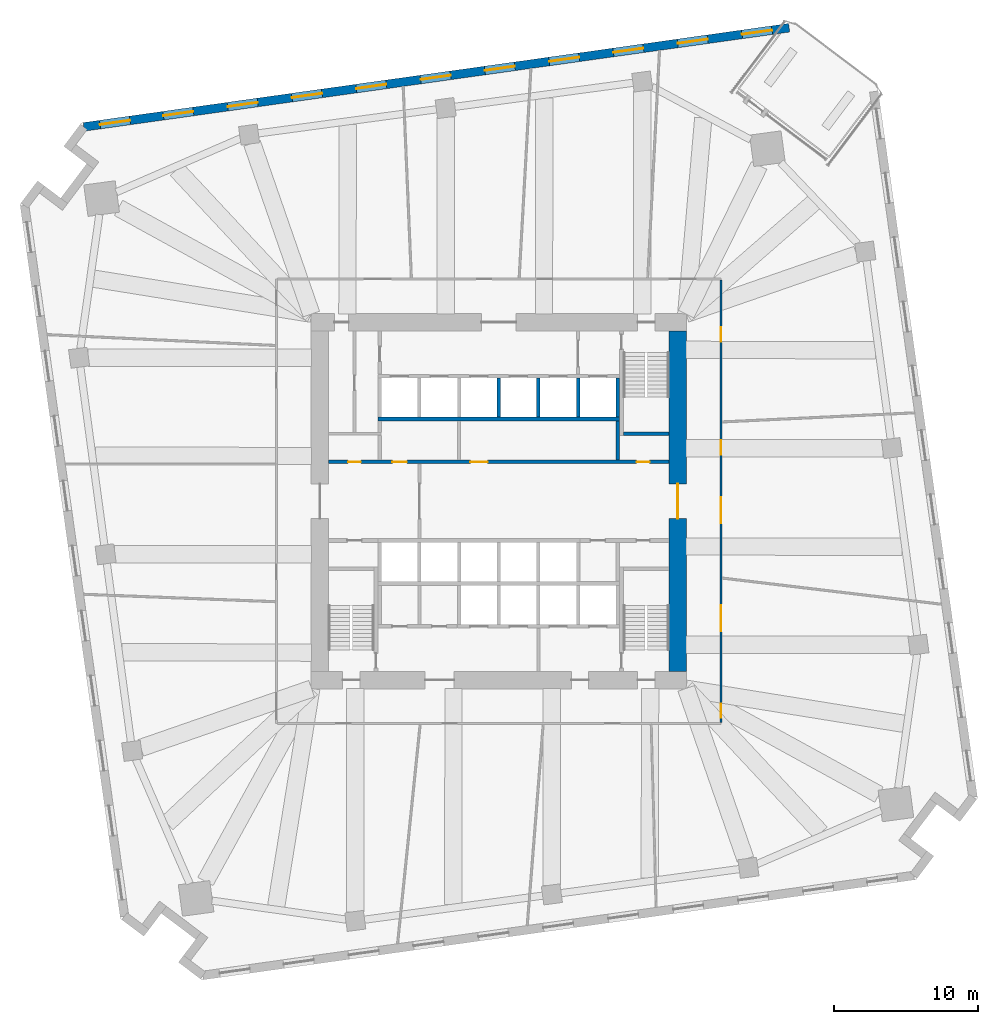
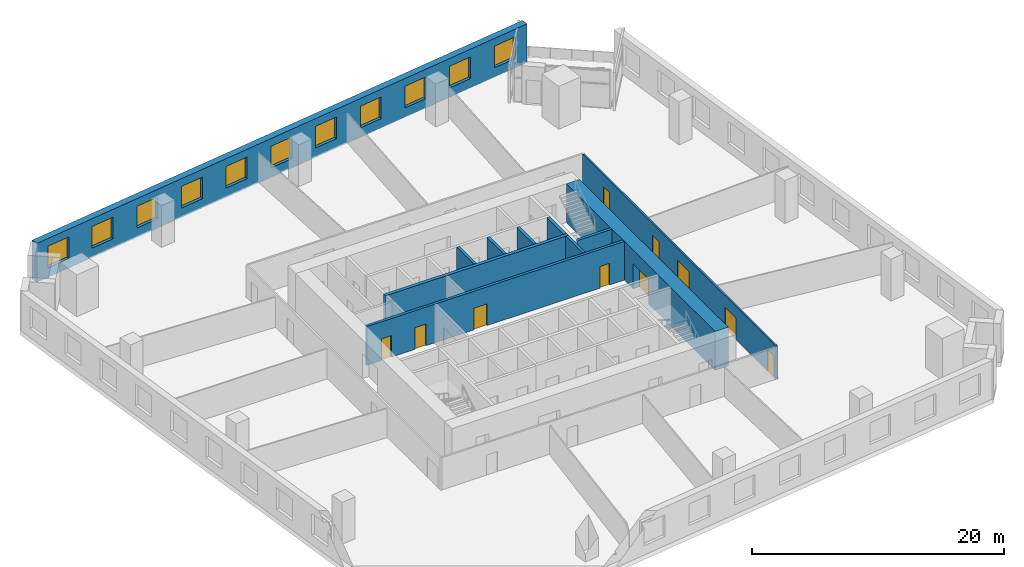
# One storey, part 8 of 12: 11 walls, 11 windows, 10 doors, 21 openings.
"""IFC4 building model written with IfcOpenShell, lengths in metres."""

from ifc_helpers import new_model, si_unit, direction, frame, frame_2d, origin, place, context, subcontext, project, spatial, rectangle, extrude, material, layer, layer_set, type_object, element, fill, save


model = new_model("IFC4")

# Units and contexts
model_context = context("Model", 3, precision=1e-05, world=origin(), true_north=direction((0.0, 1.0)))
body_context = subcontext(model_context, "Body", "Model", "MODEL_VIEW")
ifc_project = project(units=[si_unit("LENGTHUNIT", "METRE"), si_unit("AREAUNIT", "SQUARE_METRE"), si_unit("VOLUMEUNIT", "CUBIC_METRE"), si_unit("PLANEANGLEUNIT", "RADIAN"), si_unit("MASSUNIT", "GRAM", prefix="KILO")], contexts=[model_context])

# Site, building, storey
site_placement = place(None, origin())
site = spatial("IfcSite", under=ifc_project, at=site_placement, CompositionType="ELEMENT")
building_placement = place(site_placement, origin())
building = spatial("IfcBuilding", under=site, at=building_placement, Name="Dilmun Exchange Tower", CompositionType="ELEMENT")
storey_placement = place(building_placement, frame((0.0, 0.0, 55.5)))
storey = spatial("IfcBuildingStorey", under=building, at=storey_placement, Name="L12", CompositionType="ELEMENT", Elevation=55.5)

# Wall, openings, doors
ifc_material_1 = material(Name="Concrete C40/50", Category="concrete")
ifc_layer_1 = layer(ifc_material_1, 0.25)
ifc_layer_set_1 = layer_set([ifc_layer_1], Name="Concrete C40/50")
wall_type_1 = type_object("IfcWallType", Name="Core partition wall 250", PredefinedType="PARTITIONING", material=ifc_layer_set_1)
wall_1_placement = place(storey_placement, frame((-11.794921875, 2.72509765625, 0.0), z_axis=(0.0, 0.0, 1.0), x_axis=(1.0, 0.0, 0.0)))
wall_1 = element("IfcWall", 1, at=wall_1_placement, inside=storey, type_object=wall_type_1, Name="L12 core partition wall 09", PredefinedType="PARTITIONING", context=body_context, shape_type="SweptSolid", body=[
    extrude(rectangle(XDim=23.58984375, YDim=0.25, at=frame_2d((11.794921875, 0.0))), origin(), (0.0, 0.0, 1.0), 3.75),
])
opening_1_placement = place(wall_1_placement, frame((21.344970703125, 0.0, 0.0)))
opening_1 = element("IfcOpeningElement", 2, at=opening_1_placement, cuts=wall_1, Name="Opening CD6", PredefinedType="OPENING", context=body_context, shape_type="SweptSolid", body=[
    extrude(rectangle(XDim=0.89990234375, YDim=2.10009765625, at=frame_2d((0.449951171875, 1.050048828125))), frame((0.0, 0.135009765625, 0.0), z_axis=(0.0, -1.0, 0.0), x_axis=(1.0, 0.0, 0.0)), (0.0, 0.0, 1.0), 0.27001953125),
])
opening_2_placement = place(wall_1_placement, frame((1.344970703125, 0.0, 0.0)))
opening_2 = element("IfcOpeningElement", 3, at=opening_2_placement, cuts=wall_1, Name="Opening CD6", PredefinedType="OPENING", context=body_context, shape_type="SweptSolid", body=[
    extrude(rectangle(XDim=0.89990234375, YDim=2.10009765625, at=frame_2d((0.449951171875, 1.050048828125))), frame((0.0, 0.135009765625, 0.0), z_axis=(0.0, -1.0, 0.0), x_axis=(1.0, 0.0, 0.0)), (0.0, 0.0, 1.0), 0.27001953125),
])
opening_3_placement = place(wall_1_placement, frame((4.419921875, 0.0, 0.0)))
opening_3 = element("IfcOpeningElement", 4, at=opening_3_placement, cuts=wall_1, Name="Opening CD4", PredefinedType="OPENING", context=body_context, shape_type="SweptSolid", body=[
    extrude(rectangle(XDim=1.0, YDim=2.10009765625, at=frame_2d((0.5, 1.050048828125))), frame((0.0, 0.135009765625, 0.0), z_axis=(0.0, -1.0, 0.0), x_axis=(1.0, 0.0, 0.0)), (0.0, 0.0, 1.0), 0.27001953125),
])
opening_4_placement = place(wall_1_placement, frame((9.820068359375, 0.0, 0.0)))
opening_4 = element("IfcOpeningElement", 5, at=opening_4_placement, cuts=wall_1, Name="Opening CD3", PredefinedType="OPENING", context=body_context, shape_type="SweptSolid", body=[
    extrude(rectangle(XDim=1.199951171875, YDim=2.10009765625, at=frame_2d((0.60009765625, 1.050048828125))), frame((0.0, 0.135009765625, 0.0), z_axis=(0.0, -1.0, 0.0), x_axis=(1.0, 0.0, 0.0)), (0.0, 0.0, 1.0), 0.27001953125),
])
ifc_material_2 = material(Name="Fire-rated steel door set", Category="steel")
door_type_1 = type_object("IfcDoorType", Name="Core room door 1000x2100", OperationType="SINGLE_SWING_LEFT", PredefinedType="DOOR", material=ifc_material_2)
door_1_placement = place(opening_3_placement, origin())
door_1 = element("IfcDoor", 6, at=door_1_placement, inside=storey, type_object=door_type_1, Name="L12 door Print and mail room", OperationType="SINGLE_SWING_LEFT", OverallHeight=2.10009765625, OverallWidth=1.0, PredefinedType="DOOR", context=body_context, shape_type="SweptSolid", body=[
    extrude(rectangle(XDim=1.0, YDim=2.10009765625, at=frame_2d((0.5, 1.050048828125))), frame((0.0, 0.02490234375, 0.0), z_axis=(0.0, -1.0, 0.0), x_axis=(1.0, 0.0, 0.0)), (0.0, 0.0, 1.0), 0.050048828125),
])
fill(opening_3, door_1)
door_type_2 = type_object("IfcDoorType", Name="Core room door 900x2100", OperationType="SINGLE_SWING_LEFT", PredefinedType="DOOR", material=ifc_material_2)
door_2_placement = place(opening_1_placement, origin())
door_2 = element("IfcDoor", 7, at=door_2_placement, inside=storey, type_object=door_type_2, Name="L12 door Electrical riser", OperationType="SINGLE_SWING_LEFT", OverallHeight=2.10009765625, OverallWidth=0.89990234375, PredefinedType="DOOR", context=body_context, shape_type="SweptSolid", body=[
    extrude(rectangle(XDim=0.89990234375, YDim=2.10009765625, at=frame_2d((0.449951171875, 1.050048828125))), frame((0.0, 0.02490234375, 0.0), z_axis=(0.0, -1.0, 0.0), x_axis=(1.0, 0.0, 0.0)), (0.0, 0.0, 1.0), 0.050048828125),
])
fill(opening_1, door_2)
door_3_placement = place(opening_2_placement, origin())
door_3 = element("IfcDoor", 8, at=door_3_placement, inside=storey, type_object=door_type_2, Name="L12 door Plumbing riser", OperationType="SINGLE_SWING_LEFT", OverallHeight=2.10009765625, OverallWidth=0.89990234375, PredefinedType="DOOR", context=body_context, shape_type="SweptSolid", body=[
    extrude(rectangle(XDim=0.89990234375, YDim=2.10009765625, at=frame_2d((0.449951171875, 1.050048828125))), frame((0.0, 0.02490234375, 0.0), z_axis=(0.0, -1.0, 0.0), x_axis=(1.0, 0.0, 0.0)), (0.0, 0.0, 1.0), 0.050048828125),
])
fill(opening_2, door_3)
door_type_3 = type_object("IfcDoorType", Name="Stair exit door 1200x2100", OperationType="SINGLE_SWING_LEFT", PredefinedType="DOOR", material=ifc_material_2)
door_4_placement = place(opening_4_placement, origin())
door_4 = element("IfcDoor", 9, at=door_4_placement, inside=storey, type_object=door_type_3, Name="L12 door Building management office", OperationType="SINGLE_SWING_LEFT", OverallHeight=2.10009765625, OverallWidth=1.199951171875, PredefinedType="DOOR", context=body_context, shape_type="SweptSolid", body=[
    extrude(rectangle(XDim=1.199951171875, YDim=2.10009765625, at=frame_2d((0.60009765625, 1.050048828125))), frame((0.0, 0.02490234375, 0.0), z_axis=(0.0, -1.0, 0.0), x_axis=(1.0, 0.0, 0.0)), (0.0, 0.0, 1.0), 0.050048828125),
])
fill(opening_4, door_4)

# Wall
wall_2_placement = place(storey_placement, frame((8.25, 2.85498046875, 0.0), z_axis=(0.0, 0.0, 1.0), x_axis=(0.0, 1.0, 0.0)))
element("IfcWall", 10, at=wall_2_placement, inside=storey, type_object=wall_type_1, Name="L12 core partition wall 12", PredefinedType="PARTITIONING", context=body_context, shape_type="SweptSolid", body=[
    extrude(rectangle(XDim=2.68994140625, YDim=0.25, at=frame_2d((1.344970703125, 0.0))), origin(), (0.0, 0.0, 1.0), 3.75),
])

# Wall, opening, door
ifc_material_3 = material(Name="Concrete C80/95", Category="concrete")
ifc_layer_2 = layer(ifc_material_3, 1.199951171875)
ifc_layer_set_2 = layer_set([ifc_layer_2], Name="Concrete C80/95")
wall_type_2 = type_object("IfcWallType", Name="Core shear wall 1200 Concrete C80/95", PredefinedType="SHEAR", material=ifc_layer_set_2)
wall_3_placement = place(storey_placement, frame((12.39990234375, -11.800048828125, 0.0), z_axis=(0.0, 0.0, 1.0), x_axis=(0.0, 1.0, 0.0)))
wall_3 = element("IfcWall", 11, at=wall_3_placement, inside=storey, type_object=wall_type_2, Name="L12 core shear wall E", PredefinedType="SHEAR", context=body_context, shape_type="SweptSolid", body=[
    extrude(rectangle(XDim=23.60009765625, YDim=1.199951171875, at=frame_2d((11.800048828125, 0.0))), origin(), (0.0, 0.0, 1.0), 3.75),
])
opening_5_placement = place(wall_3_placement, frame((10.60009765625, 0.0, 0.0)))
opening_5 = element("IfcOpeningElement", 12, at=opening_5_placement, cuts=wall_3, Name="Opening CD1", PredefinedType="OPENING", context=body_context, shape_type="SweptSolid", body=[
    extrude(rectangle(XDim=2.39990234375, YDim=2.39990234375, at=frame_2d((1.199951171875, 1.199951171875))), frame((0.0, 0.60986328125, 0.0), z_axis=(0.0, -1.0, 0.0), x_axis=(1.0, 0.0, 0.0)), (0.0, 0.0, 1.0), 1.219970703125),
])
door_type_4 = type_object("IfcDoorType", Name="Core lobby door 2400x2400", OperationType="DOUBLE_DOOR_DOUBLE_SWING", PredefinedType="DOOR", material=ifc_material_2)
door_5_placement = place(opening_5_placement, origin())
door_5 = element("IfcDoor", 13, at=door_5_placement, inside=storey, type_object=door_type_4, Name="L12 door Central lift lobby", OperationType="SINGLE_SWING_LEFT", OverallHeight=2.39990234375, OverallWidth=2.39990234375, PredefinedType="DOOR", context=body_context, shape_type="SweptSolid", body=[
    extrude(rectangle(XDim=2.39990234375, YDim=2.39990234375, at=frame_2d((1.199951171875, 1.199951171875))), frame((0.0, 0.02490234375, 0.0), z_axis=(0.0, -1.0, 0.0), x_axis=(1.0, 0.0, 0.0)), (0.0, 0.0, 1.0), 0.050048828125),
])
fill(opening_5, door_5)

# Wall, openings, doors
ifc_material_4 = material(Name="Corridor wall 150")
ifc_layer_3 = layer(ifc_material_4, 0.14990234375)
ifc_layer_set_3 = layer_set([ifc_layer_3], Name="Corridor wall 150")
wall_type_3 = type_object("IfcWallType", Name="Corridor wall 150", PredefinedType="PARTITIONING", material=ifc_layer_set_3)
wall_4_placement = place(storey_placement, frame((15.39990234375, -15.324951171875, 0.0), z_axis=(0.0, 0.0, 1.0), x_axis=(0.0, 1.0, 0.0)))
wall_4 = element("IfcWall", 14, at=wall_4_placement, inside=storey, type_object=wall_type_3, Name="Corridor wall", PredefinedType="PARTITIONING", context=body_context, shape_type="SweptSolid", body=[
    extrude(rectangle(XDim=30.64990234375, YDim=0.14990234375, at=frame_2d((15.324951171875, 0.0))), origin(), (0.0, 0.0, 1.0), 3.25),
])
opening_6_placement = place(wall_4_placement, frame((26.3681640625, 0.0, 0.0)))
opening_6 = element("IfcOpeningElement", 15, at=opening_6_placement, cuts=wall_4, Name="Opening TF11-D12", PredefinedType="OPENING", context=body_context, shape_type="SweptSolid", body=[
    extrude(rectangle(XDim=1.0, YDim=2.10009765625, at=frame_2d((0.5, 1.050048828125))), frame((0.0, 0.0849609375, 0.0), z_axis=(0.0, -1.0, 0.0), x_axis=(1.0, 0.0, 0.0)), (0.0, 0.0, 1.0), 0.169921875),
])
opening_7_placement = place(wall_4_placement, frame((6.300048828125, 0.0, 0.0)))
opening_7 = element("IfcOpeningElement", 16, at=opening_7_placement, cuts=wall_4, Name="Opening TF11-D13", PredefinedType="OPENING", context=body_context, shape_type="SweptSolid", body=[
    extrude(rectangle(XDim=1.800048828125, YDim=2.10009765625, at=frame_2d((0.89990234375, 1.050048828125))), frame((0.0, 0.0849609375, 0.0), z_axis=(0.0, -1.0, 0.0), x_axis=(1.0, 0.0, 0.0)), (0.0, 0.0, 1.0), 0.169921875),
])
opening_8_placement = place(wall_4_placement, frame((0.300048828125, 0.0, 0.0)))
opening_8 = element("IfcOpeningElement", 17, at=opening_8_placement, cuts=wall_4, Name="Opening TF11-D14", PredefinedType="OPENING", context=body_context, shape_type="SweptSolid", body=[
    extrude(rectangle(XDim=1.0, YDim=2.10009765625, at=frame_2d((0.5, 1.050048828125))), frame((0.0, 0.0849609375, 0.0), z_axis=(0.0, -1.0, 0.0), x_axis=(1.0, 0.0, 0.0)), (0.0, 0.0, 1.0), 0.169921875),
])
opening_9_placement = place(wall_4_placement, frame((13.80615234375, 0.0, 0.0)))
opening_9 = element("IfcOpeningElement", 18, at=opening_9_placement, cuts=wall_4, Name="Opening TF11-D15", PredefinedType="OPENING", context=body_context, shape_type="SweptSolid", body=[
    extrude(rectangle(XDim=1.800048828125, YDim=2.10009765625, at=frame_2d((0.89990234375, 1.050048828125))), frame((0.0, 0.0849609375, 0.0), z_axis=(0.0, -1.0, 0.0), x_axis=(1.0, 0.0, 0.0)), (0.0, 0.0, 1.0), 0.169921875),
])
opening_10_placement = place(wall_4_placement, frame((18.55615234375, 0.0, 0.0)))
opening_10 = element("IfcOpeningElement", 19, at=opening_10_placement, cuts=wall_4, Name="Opening TF11-D16", PredefinedType="OPENING", context=body_context, shape_type="SweptSolid", body=[
    extrude(rectangle(XDim=1.0, YDim=2.10009765625, at=frame_2d((0.5, 1.050048828125))), frame((0.0, 0.0849609375, 0.0), z_axis=(0.0, -1.0, 0.0), x_axis=(1.0, 0.0, 0.0)), (0.0, 0.0, 1.0), 0.169921875),
])
ifc_material_5 = material(Name="Fire door 1000 x 2100")
door_type_5 = type_object("IfcDoorType", Name="Fire door 1000 x 2100", OperationType="NOTDEFINED", PredefinedType="DOOR", material=ifc_material_5)
door_6_placement = place(opening_6_placement, frame((1.0, 0.0, 0.0), z_axis=(0.0, 0.0, 1.0), x_axis=(-1.0, 0.0, 0.0)))
door_6 = element("IfcDoor", 20, at=door_6_placement, inside=storey, type_object=door_type_5, Name="Door TF11-D12", OperationType="SINGLE_SWING_LEFT", OverallHeight=2.10009765625, OverallWidth=1.0, PredefinedType="DOOR", context=body_context, shape_type="SweptSolid", body=[
    extrude(rectangle(XDim=1.0, YDim=2.10009765625, at=frame_2d((0.5, 1.050048828125))), frame((0.0, 0.02490234375, 0.0), z_axis=(0.0, -1.0, 0.0), x_axis=(1.0, 0.0, 0.0)), (0.0, 0.0, 1.0), 0.050048828125),
])
fill(opening_6, door_6)
door_7_placement = place(opening_8_placement, frame((1.0, 0.0, 0.0), z_axis=(0.0, 0.0, 1.0), x_axis=(-1.0, 0.0, 0.0)))
door_7 = element("IfcDoor", 21, at=door_7_placement, inside=storey, type_object=door_type_5, Name="Door TF11-D14", OperationType="SINGLE_SWING_RIGHT", OverallHeight=2.10009765625, OverallWidth=1.0, PredefinedType="DOOR", context=body_context, shape_type="SweptSolid", body=[
    extrude(rectangle(XDim=1.0, YDim=2.10009765625, at=frame_2d((0.5, 1.050048828125))), frame((0.0, 0.02490234375, 0.0), z_axis=(0.0, -1.0, 0.0), x_axis=(1.0, 0.0, 0.0)), (0.0, 0.0, 1.0), 0.050048828125),
])
fill(opening_8, door_7)
door_8_placement = place(opening_10_placement, frame((1.0, 0.0, 0.0), z_axis=(0.0, 0.0, 1.0), x_axis=(-1.0, 0.0, 0.0)))
door_8 = element("IfcDoor", 22, at=door_8_placement, inside=storey, type_object=door_type_5, Name="Door TF11-D16", OperationType="SINGLE_SWING_LEFT", OverallHeight=2.10009765625, OverallWidth=1.0, PredefinedType="DOOR", context=body_context, shape_type="SweptSolid", body=[
    extrude(rectangle(XDim=1.0, YDim=2.10009765625, at=frame_2d((0.5, 1.050048828125))), frame((0.0, 0.02490234375, 0.0), z_axis=(0.0, -1.0, 0.0), x_axis=(1.0, 0.0, 0.0)), (0.0, 0.0, 1.0), 0.050048828125),
])
fill(opening_10, door_8)
ifc_material_6 = material(Name="Fire door pair 1800 x 2100")
door_type_6 = type_object("IfcDoorType", Name="Fire door pair 1800 x 2100", OperationType="NOTDEFINED", PredefinedType="DOOR", material=ifc_material_6)
door_9_placement = place(opening_7_placement, frame((1.800048828125, 0.0, 0.0), z_axis=(0.0, 0.0, 1.0), x_axis=(-1.0, 0.0, 0.0)))
door_9 = element("IfcDoor", 23, at=door_9_placement, inside=storey, type_object=door_type_6, Name="Door TF11-D13", OperationType="DOUBLE_DOOR_SINGLE_SWING", OverallHeight=2.10009765625, OverallWidth=1.800048828125, PredefinedType="DOOR", context=body_context, shape_type="SweptSolid", body=[
    extrude(rectangle(XDim=1.800048828125, YDim=2.10009765625, at=frame_2d((0.89990234375, 1.050048828125))), frame((0.0, 0.02490234375, 0.0), z_axis=(0.0, -1.0, 0.0), x_axis=(1.0, 0.0, 0.0)), (0.0, 0.0, 1.0), 0.050048828125),
])
fill(opening_7, door_9)
door_10_placement = place(opening_9_placement, frame((1.800048828125, 0.0, 0.0), z_axis=(0.0, 0.0, 1.0), x_axis=(-1.0, 0.0, 0.0)))
door_10 = element("IfcDoor", 24, at=door_10_placement, inside=storey, type_object=door_type_6, Name="Door TF11-D15", OperationType="DOUBLE_DOOR_SINGLE_SWING", OverallHeight=2.10009765625, OverallWidth=1.800048828125, PredefinedType="DOOR", context=body_context, shape_type="SweptSolid", body=[
    extrude(rectangle(XDim=1.800048828125, YDim=2.10009765625, at=frame_2d((0.89990234375, 1.050048828125))), frame((0.0, 0.02490234375, 0.0), z_axis=(0.0, -1.0, 0.0), x_axis=(1.0, 0.0, 0.0)), (0.0, 0.0, 1.0), 0.050048828125),
])
fill(opening_9, door_10)

# Walls
ifc_layer_4 = layer(ifc_material_1, 0.300048828125)
ifc_layer_set_4 = layer_set([ifc_layer_4], Name="Concrete C40/50")
wall_type_4 = type_object("IfcWallType", Name="Lift shaft shared wall 300", PredefinedType="SOLIDWALL", material=ifc_layer_set_4)
wall_5_placement = place(storey_placement, frame((-8.375, 5.699951171875, 0.0), z_axis=(0.0, 0.0, 1.0), x_axis=(1.0, 0.0, 0.0)))
element("IfcWall", 25, at=wall_5_placement, inside=storey, type_object=wall_type_4, Name="L12 lift shaft rear wall N", PredefinedType="SOLIDWALL", context=body_context, shape_type="SweptSolid", body=[
    extrude(rectangle(XDim=16.75, YDim=0.300048828125, at=frame_2d((8.375, 0.0))), origin(), (0.0, 0.0, 1.0), 3.75),
])
ifc_layer_5 = layer(ifc_material_1, 0.25)
ifc_layer_set_5 = layer_set([ifc_layer_5], Name="Concrete C40/50")
wall_type_5 = type_object("IfcWallType", Name="Lift shaft wall 250", PredefinedType="SOLIDWALL", material=ifc_layer_set_5)
for number, where, z_axis, x_axis, name in (
    (26, (0.0, 5.85009765625, 0.0), (0.0, 0.0, 1.0), (0.0, 1.0, 0.0), "L12 lift shaft divider N23"),
    (27, (2.75, 5.85009765625, 0.0), (0.0, 0.0, 1.0), (0.0, 1.0, 0.0), "L12 lift shaft divider N24"),
    (28, (5.5, 5.85009765625, 0.0), (0.0, 0.0, 1.0), (0.0, 1.0, 0.0), "L12 lift shaft divider N25"),
    (29, (8.25, 5.85009765625, 0.0), (0.0, 0.0, 1.0), (0.0, 1.0, 0.0), "L12 lift shaft divider N26"),
):
    element("IfcWall", number, at=place(storey_placement, frame(where, z_axis=z_axis, x_axis=x_axis)), inside=storey, type_object=wall_type_5, Name=name, PredefinedType="SOLIDWALL", context=body_context, shape_type="SweptSolid", body=[
        extrude(rectangle(XDim=2.699951171875, YDim=0.25, at=frame_2d((1.35009765625, 0.0))), origin(), (0.0, 0.0, 1.0), 3.75),
    ])

# Wall, openings, windows
ifc_material_7 = material(Name="Precast concrete C50/60", Category="concrete")
ifc_layer_6 = layer(ifc_material_7, 0.60009765625)
ifc_layer_set_6 = layer_set([ifc_layer_6], Name="Precast concrete C50/60")
wall_type_6 = type_object("IfcWallType", Name="Precast stone-clad wall 600", PredefinedType="STANDARD", material=ifc_layer_set_6)
wall_6_placement = place(storey_placement, frame((20.128173828125, 32.82080078125, 0.0), z_axis=(0.0, 0.0, 1.0), x_axis=(-0.990267943129, -0.139173994734, 0.0)))
wall_6 = element("IfcWall", 30, at=wall_6_placement, inside=storey, type_object=wall_type_6, Name="Facade wall L12-03", PredefinedType="STANDARD", context=body_context, shape_type="SweptSolid", body=[
    extrude(rectangle(XDim=49.375732421875, YDim=0.60009765625, at=frame_2d((24.68798828125, 0.0))), origin(), (0.0, 0.0, 1.0), 3.75),
])
opening_11_placement = place(wall_6_placement, frame((1.199951171875, 0.0, 0.89990234375)))
opening_11 = element("IfcOpeningElement", 31, at=opening_11_placement, cuts=wall_6, Name="Opening W210-210", PredefinedType="OPENING", context=body_context, shape_type="SweptSolid", body=[
    extrude(rectangle(XDim=2.10009765625, YDim=2.10009765625, at=frame_2d((1.050048828125, 1.050048828125))), frame((0.0, 0.31005859375, 0.0), z_axis=(0.0, -1.0, 0.0), x_axis=(1.0, 0.0, 0.0)), (0.0, 0.0, 1.0), 0.6201171875),
])
opening_12_placement = place(wall_6_placement, frame((5.699951171875, 0.0, 0.89990234375)))
opening_12 = element("IfcOpeningElement", 32, at=opening_12_placement, cuts=wall_6, Name="Opening W210-210", PredefinedType="OPENING", context=body_context, shape_type="SweptSolid", body=[
    extrude(rectangle(XDim=2.10009765625, YDim=2.10009765625, at=frame_2d((1.050048828125, 1.050048828125))), frame((0.0, 0.31005859375, 0.0), z_axis=(0.0, -1.0, 0.0), x_axis=(1.0, 0.0, 0.0)), (0.0, 0.0, 1.0), 0.6201171875),
])
opening_13_placement = place(wall_6_placement, frame((10.199951171875, 0.0, 0.89990234375)))
opening_13 = element("IfcOpeningElement", 33, at=opening_13_placement, cuts=wall_6, Name="Opening W210-210", PredefinedType="OPENING", context=body_context, shape_type="SweptSolid", body=[
    extrude(rectangle(XDim=2.10009765625, YDim=2.10009765625, at=frame_2d((1.050048828125, 1.050048828125))), frame((0.0, 0.31005859375, 0.0), z_axis=(0.0, -1.0, 0.0), x_axis=(1.0, 0.0, 0.0)), (0.0, 0.0, 1.0), 0.6201171875),
])
opening_14_placement = place(wall_6_placement, frame((14.699951171875, 0.0, 0.89990234375)))
opening_14 = element("IfcOpeningElement", 34, at=opening_14_placement, cuts=wall_6, Name="Opening W210-210", PredefinedType="OPENING", context=body_context, shape_type="SweptSolid", body=[
    extrude(rectangle(XDim=2.10009765625, YDim=2.10009765625, at=frame_2d((1.050048828125, 1.050048828125))), frame((0.0, 0.31005859375, 0.0), z_axis=(0.0, -1.0, 0.0), x_axis=(1.0, 0.0, 0.0)), (0.0, 0.0, 1.0), 0.6201171875),
])
opening_15_placement = place(wall_6_placement, frame((19.199951171875, 0.0, 0.89990234375)))
opening_15 = element("IfcOpeningElement", 35, at=opening_15_placement, cuts=wall_6, Name="Opening W210-210", PredefinedType="OPENING", context=body_context, shape_type="SweptSolid", body=[
    extrude(rectangle(XDim=2.10009765625, YDim=2.10009765625, at=frame_2d((1.050048828125, 1.050048828125))), frame((0.0, 0.31005859375, 0.0), z_axis=(0.0, -1.0, 0.0), x_axis=(1.0, 0.0, 0.0)), (0.0, 0.0, 1.0), 0.6201171875),
])
opening_16_placement = place(wall_6_placement, frame((23.699951171875, 0.0, 0.89990234375)))
opening_16 = element("IfcOpeningElement", 36, at=opening_16_placement, cuts=wall_6, Name="Opening W210-210", PredefinedType="OPENING", context=body_context, shape_type="SweptSolid", body=[
    extrude(rectangle(XDim=2.10009765625, YDim=2.10009765625, at=frame_2d((1.050048828125, 1.050048828125))), frame((0.0, 0.31005859375, 0.0), z_axis=(0.0, -1.0, 0.0), x_axis=(1.0, 0.0, 0.0)), (0.0, 0.0, 1.0), 0.6201171875),
])
opening_17_placement = place(wall_6_placement, frame((28.199951171875, 0.0, 0.89990234375)))
opening_17 = element("IfcOpeningElement", 37, at=opening_17_placement, cuts=wall_6, Name="Opening W210-210", PredefinedType="OPENING", context=body_context, shape_type="SweptSolid", body=[
    extrude(rectangle(XDim=2.10009765625, YDim=2.10009765625, at=frame_2d((1.050048828125, 1.050048828125))), frame((0.0, 0.31005859375, 0.0), z_axis=(0.0, -1.0, 0.0), x_axis=(1.0, 0.0, 0.0)), (0.0, 0.0, 1.0), 0.6201171875),
])
opening_18_placement = place(wall_6_placement, frame((32.699951171875, 0.0, 0.89990234375)))
opening_18 = element("IfcOpeningElement", 38, at=opening_18_placement, cuts=wall_6, Name="Opening W210-210", PredefinedType="OPENING", context=body_context, shape_type="SweptSolid", body=[
    extrude(rectangle(XDim=2.10009765625, YDim=2.10009765625, at=frame_2d((1.050048828125, 1.050048828125))), frame((0.0, 0.31005859375, 0.0), z_axis=(0.0, -1.0, 0.0), x_axis=(1.0, 0.0, 0.0)), (0.0, 0.0, 1.0), 0.6201171875),
])
opening_19_placement = place(wall_6_placement, frame((37.199951171875, 0.0, 0.89990234375)))
opening_19 = element("IfcOpeningElement", 39, at=opening_19_placement, cuts=wall_6, Name="Opening W210-210", PredefinedType="OPENING", context=body_context, shape_type="SweptSolid", body=[
    extrude(rectangle(XDim=2.10009765625, YDim=2.10009765625, at=frame_2d((1.050048828125, 1.050048828125))), frame((0.0, 0.31005859375, 0.0), z_axis=(0.0, -1.0, 0.0), x_axis=(1.0, 0.0, 0.0)), (0.0, 0.0, 1.0), 0.6201171875),
])
opening_20_placement = place(wall_6_placement, frame((41.699951171875, 0.0, 0.89990234375)))
opening_20 = element("IfcOpeningElement", 40, at=opening_20_placement, cuts=wall_6, Name="Opening W210-210", PredefinedType="OPENING", context=body_context, shape_type="SweptSolid", body=[
    extrude(rectangle(XDim=2.10009765625, YDim=2.10009765625, at=frame_2d((1.050048828125, 1.050048828125))), frame((0.0, 0.31005859375, 0.0), z_axis=(0.0, -1.0, 0.0), x_axis=(1.0, 0.0, 0.0)), (0.0, 0.0, 1.0), 0.6201171875),
])
opening_21_placement = place(wall_6_placement, frame((46.137939453125, 0.0, 0.89990234375)))
opening_21 = element("IfcOpeningElement", 41, at=opening_21_placement, cuts=wall_6, Name="Opening W210-210", PredefinedType="OPENING", context=body_context, shape_type="SweptSolid", body=[
    extrude(rectangle(XDim=2.10009765625, YDim=2.10009765625, at=frame_2d((1.050048828125, 1.050048828125))), frame((0.0, 0.31005859375, 0.0), z_axis=(0.0, -1.0, 0.0), x_axis=(1.0, 0.0, 0.0)), (0.0, 0.0, 1.0), 0.6201171875),
])
ifc_material_8 = material(Name="Clear low-emissivity glass in aluminium frame", Category="aluminium")
window_type = type_object("IfcWindowType", Name="Punched window 2100 x 2100", PartitioningType="DOUBLE_PANEL_VERTICAL", PredefinedType="WINDOW", material=ifc_material_8)
window_1_placement = place(opening_11_placement, origin())
window_1 = element("IfcWindow", 42, at=window_1_placement, inside=storey, type_object=window_type, Name="Window 4.1", OverallHeight=2.10009765625, OverallWidth=2.10009765625, PartitioningType="SINGLE_PANEL", PredefinedType="WINDOW", context=body_context, shape_type="SweptSolid", body=[
    extrude(rectangle(XDim=2.10009765625, YDim=2.10009765625, at=frame_2d((1.050048828125, 1.050048828125))), frame((0.0, 0.030029296875, 0.0), z_axis=(0.0, -1.0, 0.0), x_axis=(1.0, 0.0, 0.0)), (0.0, 0.0, 1.0), 0.06005859375),
])
fill(opening_11, window_1)
window_2_placement = place(opening_12_placement, origin())
window_2 = element("IfcWindow", 43, at=window_2_placement, inside=storey, type_object=window_type, Name="Window 4.2", OverallHeight=2.10009765625, OverallWidth=2.10009765625, PartitioningType="SINGLE_PANEL", PredefinedType="WINDOW", context=body_context, shape_type="SweptSolid", body=[
    extrude(rectangle(XDim=2.10009765625, YDim=2.10009765625, at=frame_2d((1.050048828125, 1.050048828125))), frame((0.0, 0.030029296875, 0.0), z_axis=(0.0, -1.0, 0.0), x_axis=(1.0, 0.0, 0.0)), (0.0, 0.0, 1.0), 0.06005859375),
])
fill(opening_12, window_2)
window_3_placement = place(opening_13_placement, origin())
window_3 = element("IfcWindow", 44, at=window_3_placement, inside=storey, type_object=window_type, Name="Window 4.3", OverallHeight=2.10009765625, OverallWidth=2.10009765625, PartitioningType="SINGLE_PANEL", PredefinedType="WINDOW", context=body_context, shape_type="SweptSolid", body=[
    extrude(rectangle(XDim=2.10009765625, YDim=2.10009765625, at=frame_2d((1.050048828125, 1.050048828125))), frame((0.0, 0.030029296875, 0.0), z_axis=(0.0, -1.0, 0.0), x_axis=(1.0, 0.0, 0.0)), (0.0, 0.0, 1.0), 0.06005859375),
])
fill(opening_13, window_3)
window_4_placement = place(opening_14_placement, origin())
window_4 = element("IfcWindow", 45, at=window_4_placement, inside=storey, type_object=window_type, Name="Window 4.4", OverallHeight=2.10009765625, OverallWidth=2.10009765625, PartitioningType="SINGLE_PANEL", PredefinedType="WINDOW", context=body_context, shape_type="SweptSolid", body=[
    extrude(rectangle(XDim=2.10009765625, YDim=2.10009765625, at=frame_2d((1.050048828125, 1.050048828125))), frame((0.0, 0.030029296875, 0.0), z_axis=(0.0, -1.0, 0.0), x_axis=(1.0, 0.0, 0.0)), (0.0, 0.0, 1.0), 0.06005859375),
])
fill(opening_14, window_4)
window_5_placement = place(opening_15_placement, origin())
window_5 = element("IfcWindow", 46, at=window_5_placement, inside=storey, type_object=window_type, Name="Window 4.5", OverallHeight=2.10009765625, OverallWidth=2.10009765625, PartitioningType="SINGLE_PANEL", PredefinedType="WINDOW", context=body_context, shape_type="SweptSolid", body=[
    extrude(rectangle(XDim=2.10009765625, YDim=2.10009765625, at=frame_2d((1.050048828125, 1.050048828125))), frame((0.0, 0.030029296875, 0.0), z_axis=(0.0, -1.0, 0.0), x_axis=(1.0, 0.0, 0.0)), (0.0, 0.0, 1.0), 0.06005859375),
])
fill(opening_15, window_5)
window_6_placement = place(opening_16_placement, origin())
window_6 = element("IfcWindow", 47, at=window_6_placement, inside=storey, type_object=window_type, Name="Window 4.6", OverallHeight=2.10009765625, OverallWidth=2.10009765625, PartitioningType="SINGLE_PANEL", PredefinedType="WINDOW", context=body_context, shape_type="SweptSolid", body=[
    extrude(rectangle(XDim=2.10009765625, YDim=2.10009765625, at=frame_2d((1.050048828125, 1.050048828125))), frame((0.0, 0.030029296875, 0.0), z_axis=(0.0, -1.0, 0.0), x_axis=(1.0, 0.0, 0.0)), (0.0, 0.0, 1.0), 0.06005859375),
])
fill(opening_16, window_6)
window_7_placement = place(opening_17_placement, origin())
window_7 = element("IfcWindow", 48, at=window_7_placement, inside=storey, type_object=window_type, Name="Window 4.7", OverallHeight=2.10009765625, OverallWidth=2.10009765625, PartitioningType="SINGLE_PANEL", PredefinedType="WINDOW", context=body_context, shape_type="SweptSolid", body=[
    extrude(rectangle(XDim=2.10009765625, YDim=2.10009765625, at=frame_2d((1.050048828125, 1.050048828125))), frame((0.0, 0.030029296875, 0.0), z_axis=(0.0, -1.0, 0.0), x_axis=(1.0, 0.0, 0.0)), (0.0, 0.0, 1.0), 0.06005859375),
])
fill(opening_17, window_7)
window_8_placement = place(opening_18_placement, origin())
window_8 = element("IfcWindow", 49, at=window_8_placement, inside=storey, type_object=window_type, Name="Window 4.8", OverallHeight=2.10009765625, OverallWidth=2.10009765625, PartitioningType="SINGLE_PANEL", PredefinedType="WINDOW", context=body_context, shape_type="SweptSolid", body=[
    extrude(rectangle(XDim=2.10009765625, YDim=2.10009765625, at=frame_2d((1.050048828125, 1.050048828125))), frame((0.0, 0.030029296875, 0.0), z_axis=(0.0, -1.0, 0.0), x_axis=(1.0, 0.0, 0.0)), (0.0, 0.0, 1.0), 0.06005859375),
])
fill(opening_18, window_8)
window_9_placement = place(opening_19_placement, origin())
window_9 = element("IfcWindow", 50, at=window_9_placement, inside=storey, type_object=window_type, Name="Window 4.9", OverallHeight=2.10009765625, OverallWidth=2.10009765625, PartitioningType="SINGLE_PANEL", PredefinedType="WINDOW", context=body_context, shape_type="SweptSolid", body=[
    extrude(rectangle(XDim=2.10009765625, YDim=2.10009765625, at=frame_2d((1.050048828125, 1.050048828125))), frame((0.0, 0.030029296875, 0.0), z_axis=(0.0, -1.0, 0.0), x_axis=(1.0, 0.0, 0.0)), (0.0, 0.0, 1.0), 0.06005859375),
])
fill(opening_19, window_9)
window_10_placement = place(opening_20_placement, origin())
window_10 = element("IfcWindow", 51, at=window_10_placement, inside=storey, type_object=window_type, Name="Window 4.10", OverallHeight=2.10009765625, OverallWidth=2.10009765625, PartitioningType="SINGLE_PANEL", PredefinedType="WINDOW", context=body_context, shape_type="SweptSolid", body=[
    extrude(rectangle(XDim=2.10009765625, YDim=2.10009765625, at=frame_2d((1.050048828125, 1.050048828125))), frame((0.0, 0.030029296875, 0.0), z_axis=(0.0, -1.0, 0.0), x_axis=(1.0, 0.0, 0.0)), (0.0, 0.0, 1.0), 0.06005859375),
])
fill(opening_20, window_10)
window_11_placement = place(opening_21_placement, origin())
window_11 = element("IfcWindow", 52, at=window_11_placement, inside=storey, type_object=window_type, Name="Window 4.11", OverallHeight=2.10009765625, OverallWidth=2.10009765625, PartitioningType="SINGLE_PANEL", PredefinedType="WINDOW", context=body_context, shape_type="SweptSolid", body=[
    extrude(rectangle(XDim=2.10009765625, YDim=2.10009765625, at=frame_2d((1.050048828125, 1.050048828125))), frame((0.0, 0.030029296875, 0.0), z_axis=(0.0, -1.0, 0.0), x_axis=(1.0, 0.0, 0.0)), (0.0, 0.0, 1.0), 0.06005859375),
])
fill(opening_21, window_11)

# Wall
ifc_layer_7 = layer(ifc_material_1, 0.25)
ifc_layer_set_7 = layer_set([ifc_layer_7], Name="Concrete C40/50")
wall_type_7 = type_object("IfcWallType", Name="Stair end wall 250", PredefinedType="SOLIDWALL", material=ifc_layer_set_7)
wall_7_placement = place(storey_placement, frame((8.64990234375, 4.675048828125, 0.0), z_axis=(0.0, 0.0, 1.0), x_axis=(1.0, 0.0, 0.0)))
element("IfcWall", 53, at=wall_7_placement, inside=storey, type_object=wall_type_7, Name="L12 ST1 far wall", PredefinedType="SOLIDWALL", context=body_context, shape_type="SweptSolid", body=[
    extrude(rectangle(XDim=3.150146484375, YDim=0.25, at=frame_2d((1.5751953125, 0.0))), origin(), (0.0, 0.0, 1.0), 3.75),
])

save(model, "model.ifc")
